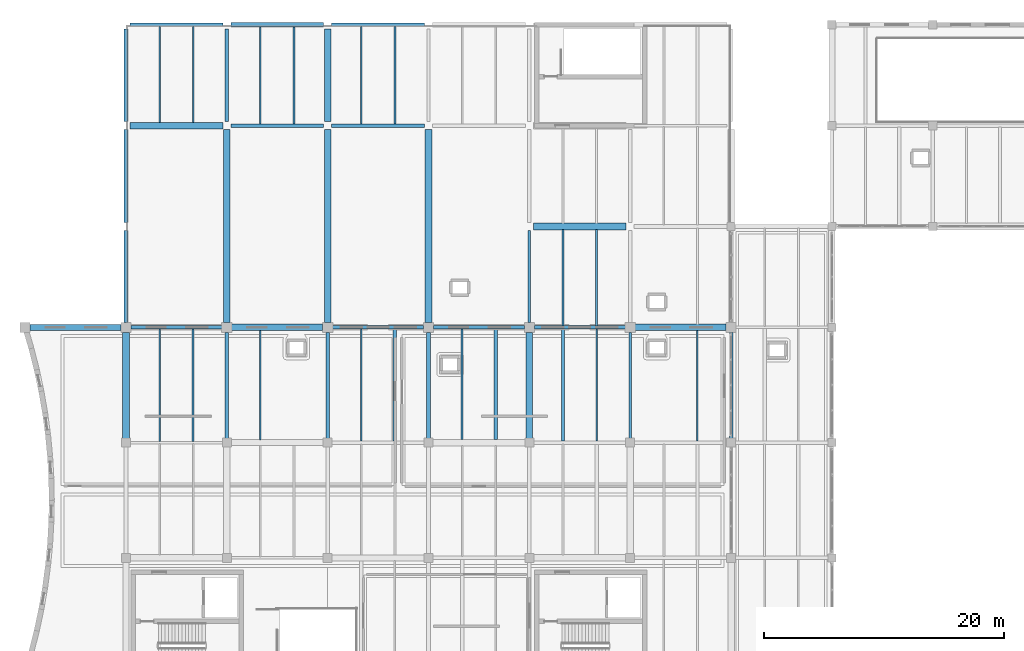
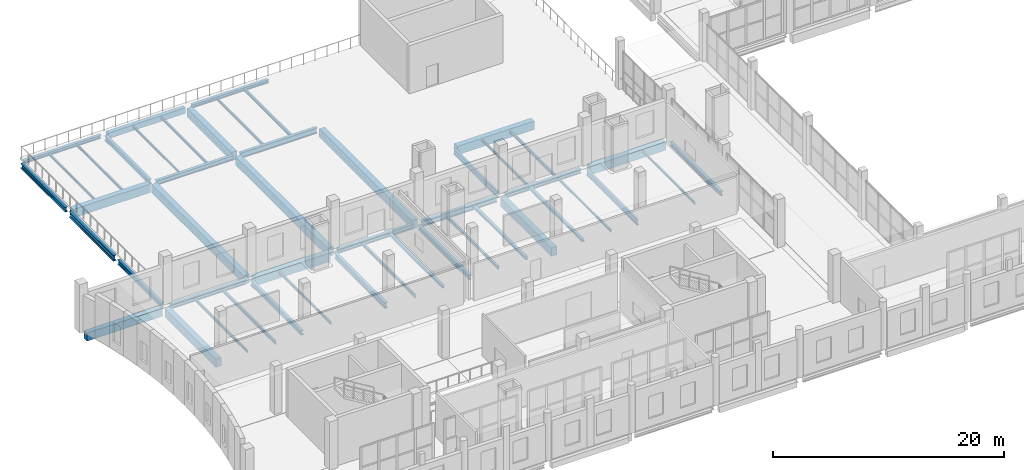
# One storey, part 13 of 73: 48 beams.
"""IFC4 building model written with IfcOpenShell, lengths in metres."""

from ifc_helpers import new_model, si_unit, direction, frame, origin, origin_2d, place, context, subcontext, project, spatial, rectangle, i_section, extrude, material, material_profile, profile_set, type_object, element, save


model = new_model("IFC4")

# Units and contexts
model_context = context("Model", 3, precision=1e-05, world=origin(), true_north=direction((0.0, 1.0)))
body_context = subcontext(model_context, "Body", "Model", "MODEL_VIEW")
ifc_project = project(units=[si_unit("LENGTHUNIT", "METRE"), si_unit("AREAUNIT", "SQUARE_METRE"), si_unit("VOLUMEUNIT", "CUBIC_METRE"), si_unit("PLANEANGLEUNIT", "RADIAN"), si_unit("MASSUNIT", "GRAM", prefix="KILO")], contexts=[model_context])

# Site, building, storey
site_placement = place(None, origin())
site = spatial("IfcSite", under=ifc_project, at=site_placement, CompositionType="ELEMENT")
building_placement = place(site_placement, origin())
building = spatial("IfcBuilding", under=site, at=building_placement, Name="Zulmaris Art Gallery", CompositionType="ELEMENT")
storey_placement = place(building_placement, frame((0.0, 0.0, 10.5)))
storey = spatial("IfcBuildingStorey", under=building, at=storey_placement, Name="L02", CompositionType="ELEMENT", Elevation=10.5)

# Beams
ifc_material_1 = material(Name="Steel S355J2", Category="steel")
ifc_material_profile_1 = material_profile(ifc_material_1, i_section(OverallWidth=0.219970703125, OverallDepth=0.60009765625, WebThickness=0.011962890625, FlangeThickness=0.01904296875, FilletRadius=0.02392578125, at=origin_2d()), Name="IPE 600")
ifc_profile_set_1 = profile_set([ifc_material_profile_1], Name="Steel S355J2")
beam_type_1 = type_object("IfcBeamType", Name="BEAM-BM07", PredefinedType="BEAM", material=ifc_profile_set_1)
beam_1_placement = place(storey_placement, frame((66.0, 50.81005859375, -0.699951171875), z_axis=(0.0, 1.0, 0.0), x_axis=(-1.0, 0.0, 0.0)))
element("IfcBeam", 1, at=beam_1_placement, inside=storey, type_object=beam_type_1, Name="L02 Y-girder (x=66.0, 50.4..58.8)", PredefinedType="BEAM", context=body_context, shape_type="SweptSolid", body=[
    extrude(i_section(OverallWidth=0.219970703125, OverallDepth=0.60009765625, WebThickness=0.011962890625, FlangeThickness=0.01904296875, FilletRadius=0.02392578125, at=origin_2d()), origin(), (0.0, 0.0, 1.0), 7.655029296875),
])
beam_2_placement = place(storey_placement, frame((74.39990234375, 41.159912109375, -0.699951171875), z_axis=(0.0, 1.0, 0.0), x_axis=(-1.0, 0.0, 0.0)))
element("IfcBeam", 2, at=beam_2_placement, inside=storey, type_object=beam_type_1, Name="L02 Y-girder (x=74.4, 40.8..50.4)", PredefinedType="BEAM", context=body_context, shape_type="SweptSolid", body=[
    extrude(i_section(OverallWidth=0.219970703125, OverallDepth=0.60009765625, WebThickness=0.011962890625, FlangeThickness=0.01904296875, FilletRadius=0.02392578125, at=origin_2d()), origin(), (0.0, 0.0, 1.0), 8.830078125),
])
ifc_material_profile_2 = material_profile(ifc_material_1, i_section(OverallWidth=0.300048828125, OverallDepth=0.43994140625, WebThickness=0.011474609375, FlangeThickness=0.02099609375, FilletRadius=0.027099609375, at=origin_2d()), Name="HEA 450")
ifc_profile_set_2 = profile_set([ifc_material_profile_2], Name="Steel S355J2")
beam_type_2 = type_object("IfcBeamType", Name="BEAM-BM10", PredefinedType="BEAM", material=ifc_profile_set_2)
beam_3_placement = place(storey_placement, frame((82.800048828125, 41.159912109375, -0.6201171875), z_axis=(0.0, 1.0, 0.0), x_axis=(-1.0, 0.0, 0.0)))
element("IfcBeam", 3, at=beam_3_placement, inside=storey, type_object=beam_type_2, Name="L02 Y-girder (x=82.8, 40.8..50.4)", PredefinedType="BEAM", context=body_context, shape_type="SweptSolid", body=[
    extrude(i_section(OverallWidth=0.300048828125, OverallDepth=0.43994140625, WebThickness=0.011474609375, FlangeThickness=0.02099609375, FilletRadius=0.027099609375, at=origin_2d()), origin(), (0.0, 0.0, 1.0), 8.830078125),
])
ifc_material_profile_3 = material_profile(ifc_material_1, i_section(OverallWidth=0.300048828125, OverallDepth=0.489990234375, WebThickness=0.011962890625, FlangeThickness=0.02294921875, FilletRadius=0.027099609375, at=origin_2d()), Name="HEA 500")
ifc_profile_set_3 = profile_set([ifc_material_profile_3], Name="Steel S355J2")
beam_type_3 = type_object("IfcBeamType", Name="BEAM-BM11", PredefinedType="BEAM", material=ifc_profile_set_3)
beam_4_placement = place(storey_placement, frame((49.610107421875, 50.39990234375, -0.64501953125), z_axis=(1.0, 0.0, 0.0), x_axis=(0.0, 1.0, 0.0)))
element("IfcBeam", 4, at=beam_4_placement, inside=storey, type_object=beam_type_3, Name="L02 X-girder (49.2..57.6, y=50.4)", PredefinedType="BEAM", context=body_context, shape_type="SweptSolid", body=[
    extrude(i_section(OverallWidth=0.300048828125, OverallDepth=0.489990234375, WebThickness=0.011962890625, FlangeThickness=0.02294921875, FilletRadius=0.027099609375, at=origin_2d()), origin(), (0.0, 0.0, 1.0), 7.579833984375),
])
beam_5_placement = place(storey_placement, frame((41.135009765625, 67.199951171875, -0.64501953125), z_axis=(1.0, 0.0, 0.0), x_axis=(0.0, 1.0, 0.0)))
element("IfcBeam", 5, at=beam_5_placement, inside=storey, type_object=beam_type_3, Name="L02 X-girder (40.8..49.2, y=67.2)", PredefinedType="BEAM", context=body_context, shape_type="SweptSolid", body=[
    extrude(i_section(OverallWidth=0.300048828125, OverallDepth=0.489990234375, WebThickness=0.011962890625, FlangeThickness=0.02294921875, FilletRadius=0.027099609375, at=origin_2d()), origin(), (0.0, 0.0, 1.0), 7.72998046875),
])
beam_6_placement = place(storey_placement, frame((32.39990234375, 50.81005859375, -0.64501953125), z_axis=(0.0, 1.0, 0.0), x_axis=(-1.0, 0.0, 0.0)))
element("IfcBeam", 6, at=beam_6_placement, inside=storey, type_object=beam_type_3, Name="L02 Y-girder (x=32.4, 50.4..58.8)", PredefinedType="BEAM", context=body_context, shape_type="SweptSolid", body=[
    extrude(i_section(OverallWidth=0.300048828125, OverallDepth=0.489990234375, WebThickness=0.011962890625, FlangeThickness=0.02294921875, FilletRadius=0.027099609375, at=origin_2d()), origin(), (0.0, 0.0, 1.0), 7.655029296875),
])
beam_7_placement = place(storey_placement, frame((40.800048828125, 41.159912109375, -0.64501953125), z_axis=(0.0, 1.0, 0.0), x_axis=(-1.0, 0.0, 0.0)))
element("IfcBeam", 7, at=beam_7_placement, inside=storey, type_object=beam_type_3, Name="L02 Y-girder (x=40.8, 40.8..50.4)", PredefinedType="BEAM", context=body_context, shape_type="SweptSolid", body=[
    extrude(i_section(OverallWidth=0.300048828125, OverallDepth=0.489990234375, WebThickness=0.011962890625, FlangeThickness=0.02294921875, FilletRadius=0.027099609375, at=origin_2d()), origin(), (0.0, 0.0, 1.0), 8.830078125),
])
ifc_material_profile_4 = material_profile(ifc_material_1, i_section(OverallWidth=0.300048828125, OverallDepth=0.5, WebThickness=0.014404296875, FlangeThickness=0.028076171875, FilletRadius=0.027099609375, at=origin_2d()), Name="HEB 500")
ifc_profile_set_4 = profile_set([ifc_material_profile_4], Name="Steel S355J2")
beam_type_4 = type_object("IfcBeamType", Name="BEAM-BM14", PredefinedType="BEAM", material=ifc_profile_set_4)
beam_8_placement = place(storey_placement, frame((32.81005859375, 50.39990234375, -0.64990234375), z_axis=(1.0, 0.0, 0.0), x_axis=(0.0, 1.0, 0.0)))
element("IfcBeam", 8, at=beam_8_placement, inside=storey, type_object=beam_type_4, Name="L02 X-girder (32.4..40.8, y=50.4)", PredefinedType="BEAM", context=body_context, shape_type="SweptSolid", body=[
    extrude(i_section(OverallWidth=0.300048828125, OverallDepth=0.5, WebThickness=0.014404296875, FlangeThickness=0.028076171875, FilletRadius=0.027099609375, at=origin_2d()), origin(), (0.0, 0.0, 1.0), 7.579833984375),
])
beam_9_placement = place(storey_placement, frame((66.409912109375, 50.39990234375, -0.64501953125), z_axis=(1.0, 0.0, 0.0), x_axis=(0.0, 1.0, 0.0)))
element("IfcBeam", 9, at=beam_9_placement, inside=storey, type_object=beam_type_4, Name="L02 X-girder (66.0..74.4, y=50.4)", PredefinedType="BEAM", context=body_context, shape_type="SweptSolid", body=[
    extrude(i_section(OverallWidth=0.300048828125, OverallDepth=0.5, WebThickness=0.014404296875, FlangeThickness=0.028076171875, FilletRadius=0.027099609375, at=origin_2d()), origin(), (0.0, 0.0, 1.0), 7.580078125),
])
for number, where, z_axis, x_axis, name in (
    (10, (32.39990234375, 67.534912109375, -0.64501953125), (0.0, 1.0, 0.0), (-1.0, 0.0, 0.0), "L02 Y-girder (x=32.4, 67.2..75.6)"),
    (11, (40.800048828125, 67.534912109375, -0.64501953125), (0.0, 1.0, 0.0), (-1.0, 0.0, 0.0), "L02 Y-girder (x=40.8, 67.2..75.6)"),
):
    element("IfcBeam", number, at=place(storey_placement, frame(where, z_axis=z_axis, x_axis=x_axis)), inside=storey, type_object=beam_type_4, Name=name, PredefinedType="BEAM", context=body_context, shape_type="SweptSolid", body=[
        extrude(i_section(OverallWidth=0.300048828125, OverallDepth=0.5, WebThickness=0.014404296875, FlangeThickness=0.028076171875, FilletRadius=0.027099609375, at=origin_2d()), origin(), (0.0, 0.0, 1.0), 7.72998046875),
    ])
beam_10_placement = place(storey_placement, frame((57.60009765625, 41.159912109375, -0.64501953125), z_axis=(0.0, 1.0, 0.0), x_axis=(-1.0, 0.0, 0.0)))
element("IfcBeam", 12, at=beam_10_placement, inside=storey, type_object=beam_type_4, Name="L02 Y-girder (x=57.6, 40.8..50.4)", PredefinedType="BEAM", context=body_context, shape_type="SweptSolid", body=[
    extrude(i_section(OverallWidth=0.300048828125, OverallDepth=0.5, WebThickness=0.014404296875, FlangeThickness=0.028076171875, FilletRadius=0.027099609375, at=origin_2d()), origin(), (0.0, 0.0, 1.0), 8.830078125),
])
ifc_material_profile_5 = material_profile(ifc_material_1, i_section(OverallWidth=0.300048828125, OverallDepth=0.60009765625, WebThickness=0.015380859375, FlangeThickness=0.030029296875, FilletRadius=0.027099609375, at=origin_2d()), Name="HEB 600")
ifc_profile_set_5 = profile_set([ifc_material_profile_5], Name="Steel S355J2")
beam_type_5 = type_object("IfcBeamType", Name="BEAM-BM15", PredefinedType="BEAM", material=ifc_profile_set_5)
beam_11_placement = place(storey_placement, frame((58.010009765625, 50.39990234375, -0.699951171875), z_axis=(1.0, 0.0, 0.0), x_axis=(0.0, 1.0, 0.0)))
element("IfcBeam", 13, at=beam_11_placement, inside=storey, type_object=beam_type_5, Name="L02 X-girder (57.6..66.0, y=50.4)", PredefinedType="BEAM", context=body_context, shape_type="SweptSolid", body=[
    extrude(i_section(OverallWidth=0.300048828125, OverallDepth=0.60009765625, WebThickness=0.015380859375, FlangeThickness=0.030029296875, FilletRadius=0.027099609375, at=origin_2d()), origin(), (0.0, 0.0, 1.0), 7.580078125),
])
for number, where, z_axis, x_axis, name in (
    (14, (49.534912109375, 67.199951171875, -0.699951171875), (1.0, 0.0, 0.0), (0.0, 1.0, 0.0), "L02 X-girder (49.2..57.6, y=67.2)"),
    (15, (32.39990234375, 59.135009765625, -0.699951171875), (0.0, 1.0, 0.0), (-1.0, 0.0, 0.0), "L02 Y-girder (x=32.4, 58.8..67.2)"),
):
    element("IfcBeam", number, at=place(storey_placement, frame(where, z_axis=z_axis, x_axis=x_axis)), inside=storey, type_object=beam_type_5, Name=name, PredefinedType="BEAM", context=body_context, shape_type="SweptSolid", body=[
        extrude(i_section(OverallWidth=0.300048828125, OverallDepth=0.60009765625, WebThickness=0.015380859375, FlangeThickness=0.030029296875, FilletRadius=0.027099609375, at=origin_2d()), origin(), (0.0, 0.0, 1.0), 7.72998046875),
    ])
beam_12_placement = place(storey_placement, frame((49.199951171875, 41.159912109375, -0.699951171875), z_axis=(0.0, 1.0, 0.0), x_axis=(-1.0, 0.0, 0.0)))
element("IfcBeam", 16, at=beam_12_placement, inside=storey, type_object=beam_type_5, Name="L02 Y-girder (x=49.2, 40.8..50.4)", PredefinedType="BEAM", context=body_context, shape_type="SweptSolid", body=[
    extrude(i_section(OverallWidth=0.300048828125, OverallDepth=0.60009765625, WebThickness=0.015380859375, FlangeThickness=0.030029296875, FilletRadius=0.027099609375, at=origin_2d()), origin(), (0.0, 0.0, 1.0), 8.830078125),
])
ifc_material_2 = material(Name="Concrete C40/50", Category="concrete")
ifc_material_profile_6 = material_profile(ifc_material_2, rectangle(XDim=0.550048828125, YDim=0.89990234375, at=origin_2d()), Name="RC 550x900")
ifc_profile_set_6 = profile_set([ifc_material_profile_6], Name="Concrete C40/50")
beam_type_6 = type_object("IfcBeamType", Name="BEAM-BM21", PredefinedType="BEAM", material=ifc_profile_set_6)
beam_13_placement = place(storey_placement, frame((41.2099609375, 50.39990234375, -0.85009765625), z_axis=(1.0, 0.0, 0.0), x_axis=(0.0, 1.0, 0.0)))
element("IfcBeam", 17, at=beam_13_placement, inside=storey, type_object=beam_type_6, Name="L02 X-girder (40.8..49.2, y=50.4)", PredefinedType="BEAM", context=body_context, shape_type="SweptSolid", body=[
    extrude(rectangle(XDim=0.550048828125, YDim=0.89990234375, at=origin_2d()), origin(), (0.0, 0.0, 1.0), 7.580078125),
])
beam_14_placement = place(storey_placement, frame((74.81005859375, 50.39990234375, -0.85009765625), z_axis=(1.0, 0.0, 0.0), x_axis=(0.0, 1.0, 0.0)))
element("IfcBeam", 18, at=beam_14_placement, inside=storey, type_object=beam_type_6, Name="L02 X-girder (74.4..82.8, y=50.4)", PredefinedType="BEAM", context=body_context, shape_type="SweptSolid", body=[
    extrude(rectangle(XDim=0.550048828125, YDim=0.89990234375, at=origin_2d()), origin(), (0.0, 0.0, 1.0), 7.579833984375),
])
for number, where, z_axis, x_axis, name in (
    (19, (66.3349609375, 58.800048828125, -0.85009765625), (1.0, 0.0, 0.0), (0.0, 1.0, 0.0), "L02 X-girder (66.0..74.4, y=58.8)"),
    (20, (32.735107421875, 67.199951171875, -0.85009765625), (1.0, 0.0, 0.0), (0.0, 1.0, 0.0), "L02 X-girder (32.4..40.8, y=67.2)"),
):
    element("IfcBeam", number, at=place(storey_placement, frame(where, z_axis=z_axis, x_axis=x_axis)), inside=storey, type_object=beam_type_6, Name=name, PredefinedType="BEAM", context=body_context, shape_type="SweptSolid", body=[
        extrude(rectangle(XDim=0.550048828125, YDim=0.89990234375, at=origin_2d()), origin(), (0.0, 0.0, 1.0), 7.72998046875),
    ])
beam_15_placement = place(storey_placement, frame((32.39990234375, 41.159912109375, -0.85009765625), z_axis=(0.0, 1.0, 0.0), x_axis=(-1.0, 0.0, 0.0)))
element("IfcBeam", 21, at=beam_15_placement, inside=storey, type_object=beam_type_6, Name="L02 Y-girder (x=32.4, 40.8..50.4)", PredefinedType="BEAM", context=body_context, shape_type="SweptSolid", body=[
    extrude(rectangle(XDim=0.550048828125, YDim=0.89990234375, at=origin_2d()), origin(), (0.0, 0.0, 1.0), 8.830078125),
])
for number, where, z_axis, x_axis, name in (
    (22, (40.800048828125, 50.81005859375, -0.85009765625), (0.0, 1.0, 0.0), (-1.0, 0.0, 0.0), "L02 Y-girder (x=40.8, 50.4..67.2)"),
    (23, (49.199951171875, 50.81005859375, -0.85009765625), (0.0, 1.0, 0.0), (-1.0, 0.0, 0.0), "L02 Y-girder (x=49.2, 50.4..67.2)"),
):
    element("IfcBeam", number, at=place(storey_placement, frame(where, z_axis=z_axis, x_axis=x_axis)), inside=storey, type_object=beam_type_6, Name=name, PredefinedType="BEAM", context=body_context, shape_type="SweptSolid", body=[
        extrude(rectangle(XDim=0.550048828125, YDim=0.89990234375, at=origin_2d()), origin(), (0.0, 0.0, 1.0), 16.054931640625),
    ])
beam_16_placement = place(storey_placement, frame((49.199951171875, 67.534912109375, -0.85009765625), z_axis=(0.0, 1.0, 0.0), x_axis=(-1.0, 0.0, 0.0)))
element("IfcBeam", 24, at=beam_16_placement, inside=storey, type_object=beam_type_6, Name="L02 Y-girder (x=49.2, 67.2..75.6)", PredefinedType="BEAM", context=body_context, shape_type="SweptSolid", body=[
    extrude(rectangle(XDim=0.550048828125, YDim=0.89990234375, at=origin_2d()), origin(), (0.0, 0.0, 1.0), 7.72998046875),
])
beam_17_placement = place(storey_placement, frame((57.60009765625, 50.81005859375, -0.85009765625), z_axis=(0.0, 1.0, 0.0), x_axis=(-1.0, 0.0, 0.0)))
element("IfcBeam", 25, at=beam_17_placement, inside=storey, type_object=beam_type_6, Name="L02 Y-girder (x=57.6, 50.4..67.2)", PredefinedType="BEAM", context=body_context, shape_type="SweptSolid", body=[
    extrude(rectangle(XDim=0.550048828125, YDim=0.89990234375, at=origin_2d()), origin(), (0.0, 0.0, 1.0), 16.054931640625),
])
beam_18_placement = place(storey_placement, frame((66.0, 41.159912109375, -0.85009765625), z_axis=(0.0, 1.0, 0.0), x_axis=(-1.0, 0.0, 0.0)))
element("IfcBeam", 26, at=beam_18_placement, inside=storey, type_object=beam_type_6, Name="L02 Y-girder (x=66.0, 40.8..50.4)", PredefinedType="BEAM", context=body_context, shape_type="SweptSolid", body=[
    extrude(rectangle(XDim=0.550048828125, YDim=0.89990234375, at=origin_2d()), origin(), (0.0, 0.0, 1.0), 8.830078125),
])
ifc_material_profile_7 = material_profile(ifc_material_2, rectangle(XDim=0.5, YDim=0.85009765625, at=origin_2d()), Name="RC 500x850")
ifc_profile_set_7 = profile_set([ifc_material_profile_7], Name="Concrete C40/50")
beam_type_7 = type_object("IfcBeamType", Name="BEAM-BM26", PredefinedType="BEAM", material=ifc_profile_set_7)
beam_19_placement = place(storey_placement, frame((24.409912109375, 50.39990234375, -0.824951171875), z_axis=(1.0, 0.0, 0.0), x_axis=(0.0, 1.0, 0.0)))
element("IfcBeam", 27, at=beam_19_placement, inside=storey, type_object=beam_type_7, Name="L02 X-girder (24.0..32.4, y=50.4)", PredefinedType="BEAM", context=body_context, shape_type="SweptSolid", body=[
    extrude(rectangle(XDim=0.5, YDim=0.85009765625, at=origin_2d()), origin(), (0.0, 0.0, 1.0), 7.580078125),
])
ifc_material_profile_8 = material_profile(ifc_material_1, i_section(OverallWidth=0.1201171875, OverallDepth=0.239990234375, WebThickness=0.006103515625, FlangeThickness=0.009765625, FilletRadius=0.014892578125, at=origin_2d()), Name="IPE 240")
ifc_profile_set_8 = profile_set([ifc_material_profile_8], Name="Steel S355J2")
beam_type_8 = type_object("IfcBeamType", Name="BEAM-JS01", PredefinedType="JOIST", material=ifc_profile_set_8)
beam_20_placement = place(storey_placement, frame((35.199951171875, 67.449951171875, -0.52001953125), z_axis=(0.0, 1.0, 0.0), x_axis=(-1.0, 0.0, 0.0)))
element("IfcBeam", 28, at=beam_20_placement, inside=storey, type_object=beam_type_8, Name="L02 secondary joist at x=35.2", PredefinedType="JOIST", context=body_context, shape_type="SweptSolid", body=[
    extrude(i_section(OverallWidth=0.1201171875, OverallDepth=0.239990234375, WebThickness=0.006103515625, FlangeThickness=0.009765625, FilletRadius=0.014892578125, at=origin_2d()), origin(), (0.0, 0.0, 1.0), 8.025146484375),
])
beam_21_placement = place(storey_placement, frame((43.60009765625, 67.324951171875, -0.52001953125), z_axis=(0.0, 1.0, 0.0), x_axis=(-1.0, 0.0, 0.0)))
element("IfcBeam", 29, at=beam_21_placement, inside=storey, type_object=beam_type_8, Name="L02 secondary joist at x=43.6", PredefinedType="JOIST", context=body_context, shape_type="SweptSolid", body=[
    extrude(i_section(OverallWidth=0.1201171875, OverallDepth=0.239990234375, WebThickness=0.006103515625, FlangeThickness=0.009765625, FilletRadius=0.014892578125, at=origin_2d()), origin(), (0.0, 0.0, 1.0), 8.10009765625),
])
beam_22_placement = place(storey_placement, frame((71.60009765625, 40.925048828125, -0.52001953125), z_axis=(0.0, 1.0, 0.0), x_axis=(-1.0, 0.0, 0.0)))
element("IfcBeam", 30, at=beam_22_placement, inside=storey, type_object=beam_type_8, Name="L02 secondary joist at x=71.6", PredefinedType="JOIST", context=body_context, shape_type="SweptSolid", body=[
    extrude(i_section(OverallWidth=0.1201171875, OverallDepth=0.239990234375, WebThickness=0.006103515625, FlangeThickness=0.009765625, FilletRadius=0.014892578125, at=origin_2d()), origin(), (0.0, 0.0, 1.0), 9.349853515625),
])
beam_23_placement = place(storey_placement, frame((80.0, 40.925048828125, -0.52001953125), z_axis=(0.0, 1.0, 0.0), x_axis=(-1.0, 0.0, 0.0)))
element("IfcBeam", 31, at=beam_23_placement, inside=storey, type_object=beam_type_8, Name="L02 secondary joist at x=80.0", PredefinedType="JOIST", context=body_context, shape_type="SweptSolid", body=[
    extrude(i_section(OverallWidth=0.1201171875, OverallDepth=0.239990234375, WebThickness=0.006103515625, FlangeThickness=0.009765625, FilletRadius=0.014892578125, at=origin_2d()), origin(), (0.0, 0.0, 1.0), 9.224853515625),
])
ifc_material_profile_9 = material_profile(ifc_material_1, i_section(OverallWidth=0.135009765625, OverallDepth=0.27001953125, WebThickness=0.006591796875, FlangeThickness=0.01025390625, FilletRadius=0.014892578125, at=origin_2d()), Name="IPE 270")
ifc_profile_set_9 = profile_set([ifc_material_profile_9], Name="Steel S355J2")
beam_type_9 = type_object("IfcBeamType", Name="BEAM-JS02", PredefinedType="JOIST", material=ifc_profile_set_9)
beam_24_placement = place(storey_placement, frame((35.199951171875, 40.885009765625, -0.534912109375), z_axis=(0.0, 1.0, 0.0), x_axis=(-1.0, 0.0, 0.0)))
element("IfcBeam", 32, at=beam_24_placement, inside=storey, type_object=beam_type_9, Name="L02 secondary joist at x=35.2", PredefinedType="JOIST", context=body_context, shape_type="SweptSolid", body=[
    extrude(i_section(OverallWidth=0.135009765625, OverallDepth=0.27001953125, WebThickness=0.006591796875, FlangeThickness=0.01025390625, FilletRadius=0.014892578125, at=origin_2d()), origin(), (0.0, 0.0, 1.0), 9.389892578125),
])
beam_25_placement = place(storey_placement, frame((38.0, 67.449951171875, -0.534912109375), z_axis=(0.0, 1.0, 0.0), x_axis=(-1.0, 0.0, 0.0)))
element("IfcBeam", 33, at=beam_25_placement, inside=storey, type_object=beam_type_9, Name="L02 secondary joist at x=38.0", PredefinedType="JOIST", context=body_context, shape_type="SweptSolid", body=[
    extrude(i_section(OverallWidth=0.135009765625, OverallDepth=0.27001953125, WebThickness=0.006591796875, FlangeThickness=0.01025390625, FilletRadius=0.014892578125, at=origin_2d()), origin(), (0.0, 0.0, 1.0), 8.025146484375),
])
beam_26_placement = place(storey_placement, frame((43.60009765625, 41.02490234375, -0.534912109375), z_axis=(0.0, 1.0, 0.0), x_axis=(-1.0, 0.0, 0.0)))
element("IfcBeam", 34, at=beam_26_placement, inside=storey, type_object=beam_type_9, Name="L02 secondary joist at x=43.6", PredefinedType="JOIST", context=body_context, shape_type="SweptSolid", body=[
    extrude(i_section(OverallWidth=0.135009765625, OverallDepth=0.27001953125, WebThickness=0.006591796875, FlangeThickness=0.01025390625, FilletRadius=0.014892578125, at=origin_2d()), origin(), (0.0, 0.0, 1.0), 9.125),
])
beam_27_placement = place(storey_placement, frame((46.39990234375, 67.324951171875, -0.534912109375), z_axis=(0.0, 1.0, 0.0), x_axis=(-1.0, 0.0, 0.0)))
element("IfcBeam", 35, at=beam_27_placement, inside=storey, type_object=beam_type_9, Name="L02 secondary joist at x=46.4", PredefinedType="JOIST", context=body_context, shape_type="SweptSolid", body=[
    extrude(i_section(OverallWidth=0.135009765625, OverallDepth=0.27001953125, WebThickness=0.006591796875, FlangeThickness=0.01025390625, FilletRadius=0.014892578125, at=origin_2d()), origin(), (0.0, 0.0, 1.0), 8.10009765625),
])
beam_28_placement = place(storey_placement, frame((52.0, 67.324951171875, -0.534912109375), z_axis=(0.0, 1.0, 0.0), x_axis=(-1.0, 0.0, 0.0)))
element("IfcBeam", 36, at=beam_28_placement, inside=storey, type_object=beam_type_9, Name="L02 secondary joist at x=52.0", PredefinedType="JOIST", context=body_context, shape_type="SweptSolid", body=[
    extrude(i_section(OverallWidth=0.135009765625, OverallDepth=0.27001953125, WebThickness=0.006591796875, FlangeThickness=0.01025390625, FilletRadius=0.014892578125, at=origin_2d()), origin(), (0.0, 0.0, 1.0), 8.150146484375),
])
beam_29_placement = place(storey_placement, frame((68.800048828125, 50.52490234375, -0.534912109375), z_axis=(0.0, 1.0, 0.0), x_axis=(-1.0, 0.0, 0.0)))
element("IfcBeam", 37, at=beam_29_placement, inside=storey, type_object=beam_type_9, Name="L02 secondary joist at x=68.8", PredefinedType="JOIST", context=body_context, shape_type="SweptSolid", body=[
    extrude(i_section(OverallWidth=0.135009765625, OverallDepth=0.27001953125, WebThickness=0.006591796875, FlangeThickness=0.01025390625, FilletRadius=0.014892578125, at=origin_2d()), origin(), (0.0, 0.0, 1.0), 8.025146484375),
])
ifc_material_profile_10 = material_profile(ifc_material_1, i_section(OverallWidth=0.159912109375, OverallDepth=0.330078125, WebThickness=0.007568359375, FlangeThickness=0.011474609375, FilletRadius=0.01806640625, at=origin_2d()), Name="IPE 330")
ifc_profile_set_10 = profile_set([ifc_material_profile_10], Name="Steel S355J2")
beam_type_10 = type_object("IfcBeamType", Name="BEAM-JS03", PredefinedType="JOIST", material=ifc_profile_set_10)
beam_30_placement = place(storey_placement, frame((38.0, 40.885009765625, -0.56494140625), z_axis=(0.0, 1.0, 0.0), x_axis=(-1.0, 0.0, 0.0)))
element("IfcBeam", 38, at=beam_30_placement, inside=storey, type_object=beam_type_10, Name="L02 secondary joist at x=38.0", PredefinedType="JOIST", context=body_context, shape_type="SweptSolid", body=[
    extrude(i_section(OverallWidth=0.159912109375, OverallDepth=0.330078125, WebThickness=0.007568359375, FlangeThickness=0.011474609375, FilletRadius=0.01806640625, at=origin_2d()), origin(), (0.0, 0.0, 1.0), 9.389892578125),
])
beam_31_placement = place(storey_placement, frame((52.0, 40.925048828125, -0.56494140625), z_axis=(0.0, 1.0, 0.0), x_axis=(-1.0, 0.0, 0.0)))
element("IfcBeam", 39, at=beam_31_placement, inside=storey, type_object=beam_type_10, Name="L02 secondary joist at x=52.0", PredefinedType="JOIST", context=body_context, shape_type="SweptSolid", body=[
    extrude(i_section(OverallWidth=0.159912109375, OverallDepth=0.330078125, WebThickness=0.007568359375, FlangeThickness=0.011474609375, FilletRadius=0.01806640625, at=origin_2d()), origin(), (0.0, 0.0, 1.0), 9.349853515625),
])
beam_32_placement = place(storey_placement, frame((54.800048828125, 67.324951171875, -0.56494140625), z_axis=(0.0, 1.0, 0.0), x_axis=(-1.0, 0.0, 0.0)))
element("IfcBeam", 40, at=beam_32_placement, inside=storey, type_object=beam_type_10, Name="L02 secondary joist at x=54.8", PredefinedType="JOIST", context=body_context, shape_type="SweptSolid", body=[
    extrude(i_section(OverallWidth=0.159912109375, OverallDepth=0.330078125, WebThickness=0.007568359375, FlangeThickness=0.011474609375, FilletRadius=0.01806640625, at=origin_2d()), origin(), (0.0, 0.0, 1.0), 8.150146484375),
])
beam_33_placement = place(storey_placement, frame((60.39990234375, 41.050048828125, -0.56494140625), z_axis=(0.0, 1.0, 0.0), x_axis=(-1.0, 0.0, 0.0)))
element("IfcBeam", 41, at=beam_33_placement, inside=storey, type_object=beam_type_10, Name="L02 secondary joist at x=60.4", PredefinedType="JOIST", context=body_context, shape_type="SweptSolid", body=[
    extrude(i_section(OverallWidth=0.159912109375, OverallDepth=0.330078125, WebThickness=0.007568359375, FlangeThickness=0.011474609375, FilletRadius=0.01806640625, at=origin_2d()), origin(), (0.0, 0.0, 1.0), 9.224853515625),
])
beam_34_placement = place(storey_placement, frame((71.60009765625, 50.52490234375, -0.56494140625), z_axis=(0.0, 1.0, 0.0), x_axis=(-1.0, 0.0, 0.0)))
element("IfcBeam", 42, at=beam_34_placement, inside=storey, type_object=beam_type_10, Name="L02 secondary joist at x=71.6", PredefinedType="JOIST", context=body_context, shape_type="SweptSolid", body=[
    extrude(i_section(OverallWidth=0.159912109375, OverallDepth=0.330078125, WebThickness=0.007568359375, FlangeThickness=0.011474609375, FilletRadius=0.01806640625, at=origin_2d()), origin(), (0.0, 0.0, 1.0), 8.025146484375),
])
ifc_material_profile_11 = material_profile(ifc_material_1, i_section(OverallWidth=0.280029296875, OverallDepth=0.27001953125, WebThickness=0.008056640625, FlangeThickness=0.012939453125, FilletRadius=0.02392578125, at=origin_2d()), Name="HEA 280")
ifc_profile_set_11 = profile_set([ifc_material_profile_11], Name="Steel S355J2")
beam_type_11 = type_object("IfcBeamType", Name="BEAM-JS04", PredefinedType="JOIST", material=ifc_profile_set_11)
beam_35_placement = place(storey_placement, frame((54.800048828125, 40.925048828125, -0.534912109375), z_axis=(0.0, 1.0, 0.0), x_axis=(-1.0, 0.0, 0.0)))
element("IfcBeam", 43, at=beam_35_placement, inside=storey, type_object=beam_type_11, Name="L02 secondary joist at x=54.8", PredefinedType="JOIST", context=body_context, shape_type="SweptSolid", body=[
    extrude(i_section(OverallWidth=0.280029296875, OverallDepth=0.27001953125, WebThickness=0.008056640625, FlangeThickness=0.012939453125, FilletRadius=0.02392578125, at=origin_2d()), origin(), (0.0, 0.0, 1.0), 9.349853515625),
])
beam_36_placement = place(storey_placement, frame((63.199951171875, 41.050048828125, -0.534912109375), z_axis=(0.0, 1.0, 0.0), x_axis=(-1.0, 0.0, 0.0)))
element("IfcBeam", 44, at=beam_36_placement, inside=storey, type_object=beam_type_11, Name="L02 secondary joist at x=63.2", PredefinedType="JOIST", context=body_context, shape_type="SweptSolid", body=[
    extrude(i_section(OverallWidth=0.280029296875, OverallDepth=0.27001953125, WebThickness=0.008056640625, FlangeThickness=0.012939453125, FilletRadius=0.02392578125, at=origin_2d()), origin(), (0.0, 0.0, 1.0), 9.224853515625),
])
beam_37_placement = place(storey_placement, frame((68.800048828125, 40.925048828125, -0.534912109375), z_axis=(0.0, 1.0, 0.0), x_axis=(-1.0, 0.0, 0.0)))
element("IfcBeam", 45, at=beam_37_placement, inside=storey, type_object=beam_type_11, Name="L02 secondary joist at x=68.8", PredefinedType="JOIST", context=body_context, shape_type="SweptSolid", body=[
    extrude(i_section(OverallWidth=0.280029296875, OverallDepth=0.27001953125, WebThickness=0.008056640625, FlangeThickness=0.012939453125, FilletRadius=0.02392578125, at=origin_2d()), origin(), (0.0, 0.0, 1.0), 9.349853515625),
])
ifc_material_profile_12 = material_profile(ifc_material_1, i_section(OverallWidth=0.300048828125, OverallDepth=0.35009765625, WebThickness=0.010009765625, FlangeThickness=0.017578125, FilletRadius=0.027099609375, at=origin_2d()), Name="HEA 360")
ifc_profile_set_12 = profile_set([ifc_material_profile_12], Name="Steel S355J2")
beam_type_12 = type_object("IfcBeamType", Name="BEAM-SP01", PredefinedType="SPANDREL", material=ifc_profile_set_12)
for number, where, z_axis, x_axis, name in (
    (46, (32.735107421875, 75.60009765625, -0.574951171875), (1.0, 0.0, 0.0), (0.0, 1.0, 0.0), "L02 X-girder (32.4..40.8, y=75.6)"),
    (47, (49.534912109375, 75.60009765625, -0.574951171875), (1.0, 0.0, 0.0), (0.0, 1.0, 0.0), "L02 X-girder (49.2..57.6, y=75.6)"),
):
    element("IfcBeam", number, at=place(storey_placement, frame(where, z_axis=z_axis, x_axis=x_axis)), inside=storey, type_object=beam_type_12, Name=name, PredefinedType="SPANDREL", context=body_context, shape_type="SweptSolid", body=[
        extrude(i_section(OverallWidth=0.300048828125, OverallDepth=0.35009765625, WebThickness=0.010009765625, FlangeThickness=0.017578125, FilletRadius=0.027099609375, at=origin_2d()), origin(), (0.0, 0.0, 1.0), 7.72998046875),
    ])
ifc_material_profile_13 = material_profile(ifc_material_2, rectangle(XDim=0.39990234375, YDim=0.60009765625, at=origin_2d()), Name="RC 400x600")
ifc_profile_set_13 = profile_set([ifc_material_profile_13], Name="Concrete C40/50")
beam_type_13 = type_object("IfcBeamType", Name="BEAM-SP03", PredefinedType="SPANDREL", material=ifc_profile_set_13)
beam_38_placement = place(storey_placement, frame((41.135009765625, 75.60009765625, -0.699951171875), z_axis=(1.0, 0.0, 0.0), x_axis=(0.0, 1.0, 0.0)))
element("IfcBeam", 48, at=beam_38_placement, inside=storey, type_object=beam_type_13, Name="L02 X-girder (40.8..49.2, y=75.6)", PredefinedType="SPANDREL", context=body_context, shape_type="SweptSolid", body=[
    extrude(rectangle(XDim=0.39990234375, YDim=0.60009765625, at=origin_2d()), origin(), (0.0, 0.0, 1.0), 7.72998046875),
])

save(model, "model.ifc")
